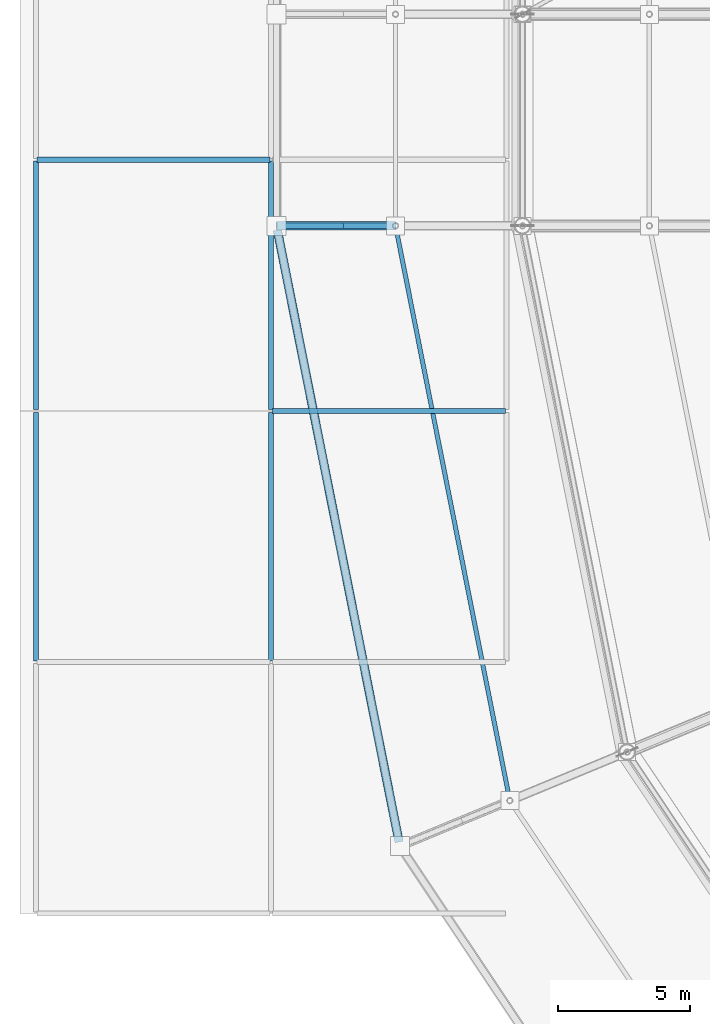
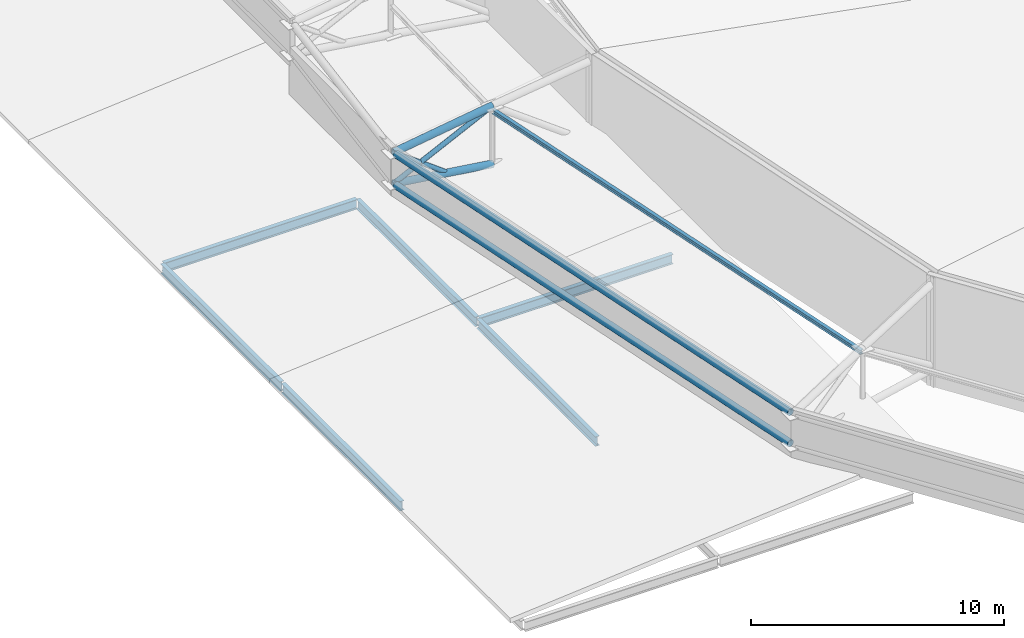
# One storey, part 22 of 146: 7 members, 6 beams.
"""IFC4 building model written with IfcOpenShell, lengths in metres."""

from ifc_helpers import new_model, si_unit, direction, frame, origin, origin_2d, place, context, subcontext, project, spatial, hollow_circle, i_section, extrude, material, material_profile, profile_set, type_object, element, save


model = new_model("IFC4")

# Units and contexts
model_context = context("Model", 3, precision=1e-05, world=origin(), true_north=direction((0.0, 1.0)))
body_context = subcontext(model_context, "Body", "Model", "MODEL_VIEW")
ifc_project = project(units=[si_unit("LENGTHUNIT", "METRE"), si_unit("AREAUNIT", "SQUARE_METRE"), si_unit("VOLUMEUNIT", "CUBIC_METRE"), si_unit("PLANEANGLEUNIT", "RADIAN"), si_unit("MASSUNIT", "GRAM", prefix="KILO")], contexts=[model_context])

# Site, building, storey
site_placement = place(None, origin())
site = spatial("IfcSite", under=ifc_project, at=site_placement, CompositionType="ELEMENT")
building_placement = place(site_placement, origin())
building = spatial("IfcBuilding", under=site, at=building_placement, Name="Candeia Ridge Stadium", CompositionType="ELEMENT")
storey_placement = place(building_placement, frame((0.0, 0.0, 31.800048828125)))
storey = spatial("IfcBuildingStorey", under=building, at=storey_placement, Name="RF", CompositionType="ELEMENT", Elevation=31.800048828125)

# Beams
ifc_material = material(Name="Steel ASTM A572 Grade 50", Category="steel")
ifc_material_profile_1 = material_profile(ifc_material, i_section(OverallWidth=0.194091796875, OverallDepth=0.468994140625, WebThickness=0.0126953125, FlangeThickness=0.0205078125, FilletRadius=0.012939453125, at=origin_2d()), Name="W460x106", Category="steel")
ifc_profile_set_1 = profile_set([ifc_material_profile_1], Name="Steel ASTM A572 Grade 50")
beam_type_1 = type_object("IfcBeamType", Name="Gondola Primary Girder W460x106", PredefinedType="BEAM", material=ifc_profile_set_1)
for number, where, z_axis, x_axis, name in (
    (1, (0.64990234375, 73.5, -0.58447265625), (1.0, 0.0, 0.0), (0.0, 1.0, 0.0), "Structural girder BM-RF-1441"),
    (2, (9.550048828125, 64.0, -0.58447265625), (1.0, 0.0, 0.0), (0.0, 1.0, 0.0), "Structural girder BM-RF-1446"),
):
    element("IfcBeam", number, at=place(storey_placement, frame(where, z_axis=z_axis, x_axis=x_axis)), inside=storey, type_object=beam_type_1, Name=name, PredefinedType="BEAM", context=body_context, shape_type="SweptSolid", body=[
        extrude(i_section(OverallWidth=0.194091796875, OverallDepth=0.468994140625, WebThickness=0.0126953125, FlangeThickness=0.0205078125, FilletRadius=0.012939453125, at=origin_2d()), origin(), (0.0, 0.0, 1.0), 8.800048828125),
    ])
ifc_material_profile_2 = material_profile(ifc_material, i_section(OverallWidth=0.18994140625, OverallDepth=0.45703125, WebThickness=0.009033203125, FlangeThickness=0.014404296875, FilletRadius=0.012939453125, at=origin_2d()), Name="W460x74", Category="steel")
ifc_profile_set_2 = profile_set([ifc_material_profile_2], Name="Steel ASTM A572 Grade 50")
beam_type_2 = type_object("IfcBeamType", Name="Pavilion Steel Girder W460x74", PredefinedType="BEAM", material=ifc_profile_set_2)
for number, where, z_axis, x_axis, name in (
    (3, (0.60009765625, 54.550048828125, -0.57861328125), (0.0, 1.0, 0.0), (-1.0, 0.0, 0.0), "Structural girder BM-RF-1420"),
    (4, (0.60009765625, 64.050048828125, -0.57861328125), (0.0, 1.0, 0.0), (-1.0, 0.0, 0.0), "Structural girder BM-RF-1421"),
    (5, (9.5, 54.550048828125, -0.57861328125), (0.0, 1.0, 0.0), (-1.0, 0.0, 0.0), "Structural girder BM-RF-1428"),
    (6, (9.5, 64.050048828125, -0.57861328125), (0.0, 1.0, 0.0), (-1.0, 0.0, 0.0), "Structural girder BM-RF-1429"),
):
    element("IfcBeam", number, at=place(storey_placement, frame(where, z_axis=z_axis, x_axis=x_axis)), inside=storey, type_object=beam_type_2, Name=name, PredefinedType="BEAM", context=body_context, shape_type="SweptSolid", body=[
        extrude(i_section(OverallWidth=0.18994140625, OverallDepth=0.45703125, WebThickness=0.009033203125, FlangeThickness=0.014404296875, FilletRadius=0.012939453125, at=origin_2d()), origin(), (0.0, 0.0, 1.0), 9.39990234375),
    ])

# Members
ifc_material_profile_3 = material_profile(ifc_material, i_section(OverallWidth=0.1650390625, OverallDepth=0.200927734375, WebThickness=0.006103515625, FlangeThickness=0.01025390625, FilletRadius=0.010009765625, at=origin_2d()), Name="W200x35.9", Category="steel")
ifc_profile_set_3 = profile_set([ifc_material_profile_3], Name="Steel ASTM A572 Grade 50")
member_type_1 = type_object("IfcMemberType", Name="Roof Purlin W200x35.9", PredefinedType="PURLIN", material=ifc_profile_set_3)
member_1_placement = place(storey_placement, frame((14.209716796875, 70.950927734375, 3.73828125), z_axis=(0.195092429325, -0.980784861231, 0.0), x_axis=(0.980784861231, 0.195092429325, 0.0)))
element("IfcMember", 7, at=member_1_placement, inside=storey, type_object=member_type_1, Name="Saddle roof steel purlin bay 15-5", PredefinedType="PURLIN", context=body_context, shape_type="SweptSolid", body=[
    extrude(i_section(OverallWidth=0.1650390625, OverallDepth=0.200927734375, WebThickness=0.006103515625, FlangeThickness=0.01025390625, FilletRadius=0.010009765625, at=origin_2d()), origin(), (0.0, 0.0, 1.0), 22.062255859375),
])
ifc_material_profile_4 = material_profile(ifc_material, hollow_circle(Radius=0.161865234375, WallThickness=0.012451171875, at=origin_2d()), Name="CHS323x12", Category="steel")
ifc_profile_set_4 = profile_set([ifc_material_profile_4], Name="Steel ASTM A572 Grade 50")
member_type_2 = type_object("IfcMemberType", Name="Roof Truss Eaves Chord CHS323x12", PredefinedType="CHORD", material=ifc_profile_set_4)
member_2_placement = place(storey_placement, frame((14.199951171875, 71.0, 3.958251953125), z_axis=(-0.988863828185, 0.0, -0.148823147753), x_axis=(0.0, -1.0, 0.0)))
element("IfcMember", 8, at=member_2_placement, inside=storey, type_object=member_type_2, Name="Roof cantilever truss RT-15 top chord 8", PredefinedType="CHORD", context=body_context, shape_type="SweptSolid", body=[
    extrude(hollow_circle(Radius=0.161865234375, WallThickness=0.012451171875, at=origin_2d()), origin(), (0.0, 0.0, 1.0), 4.55078125),
])
member_3_placement = place(storey_placement, frame((14.199951171875, 71.0, 1.15185546875), z_axis=(-0.990367404155, 0.0, 0.138464453153), x_axis=(0.0, -1.0, 0.0)))
element("IfcMember", 9, at=member_3_placement, inside=storey, type_object=member_type_2, Name="Roof cantilever truss RT-15 bottom chord 8", PredefinedType="CHORD", context=body_context, shape_type="SweptSolid", body=[
    extrude(hollow_circle(Radius=0.161865234375, WallThickness=0.012451171875, at=origin_2d()), origin(), (0.0, 0.0, 1.0), 4.543701171875),
])
for number, where, z_axis, x_axis, name in (
    (10, (9.731201171875, 70.843017578125, 3.281005859375), (0.195091392584, -0.980785067453, 0.0), (0.980785067453, 0.195091392584, 0.0), "Saddle roof outer eaves top ring chord bay 15"),
    (11, (9.731201171875, 70.843017578125, 1.781005859375), (0.195091392584, -0.980785067453, 0.0), (0.980785067453, 0.195091392584, 0.0), "Saddle roof outer eaves bottom ring chord bay 15"),
):
    element("IfcMember", number, at=place(storey_placement, frame(where, z_axis=z_axis, x_axis=x_axis)), inside=storey, type_object=member_type_2, Name=name, PredefinedType="CHORD", context=body_context, shape_type="SweptSolid", body=[
        extrude(hollow_circle(Radius=0.161865234375, WallThickness=0.012451171875, at=origin_2d()), origin(), (0.0, 0.0, 1.0), 23.597900390625),
    ])
ifc_material_profile_5 = material_profile(ifc_material, hollow_circle(Radius=0.109619140625, WallThickness=0.010009765625, at=origin_2d()), Name="CHS219x10", Category="steel")
ifc_profile_set_5 = profile_set([ifc_material_profile_5], Name="Steel ASTM A572 Grade 50")
member_type_3 = type_object("IfcMemberType", Name="Roof Truss Inner Web Brace CHS219x10", PredefinedType="BRACE", material=ifc_profile_set_5)
member_4_placement = place(storey_placement, frame((14.199951171875, 71.0, 3.958251953125), z_axis=(-0.900172839827, 0.0, -0.43553284427), x_axis=(0.0, -1.0, 0.0)))
element("IfcMember", 12, at=member_4_placement, inside=storey, type_object=member_type_3, Name="Roof cantilever truss RT-15 diagonal web 8", PredefinedType="BRACE", context=body_context, shape_type="SweptSolid", body=[
    extrude(hollow_circle(Radius=0.109619140625, WallThickness=0.010009765625, at=origin_2d()), origin(), (0.0, 0.0, 1.0), 4.9990234375),
])
member_5_placement = place(storey_placement, frame((12.175048828125, 71.0, 1.43505859375), z_axis=(-0.80161013398, 0.0, 0.597847131883), x_axis=(0.0, -1.0, 0.0)))
element("IfcMember", 13, at=member_5_placement, inside=storey, type_object=member_type_3, Name="Roof cantilever truss RT-15 vertical post 8", PredefinedType="BRACE", context=body_context, shape_type="SweptSolid", body=[
    extrude(hollow_circle(Radius=0.109619140625, WallThickness=0.010009765625, at=origin_2d()), origin(), (0.0, 0.0, 1.0), 3.087646484375),
])

save(model, "model.ifc")
